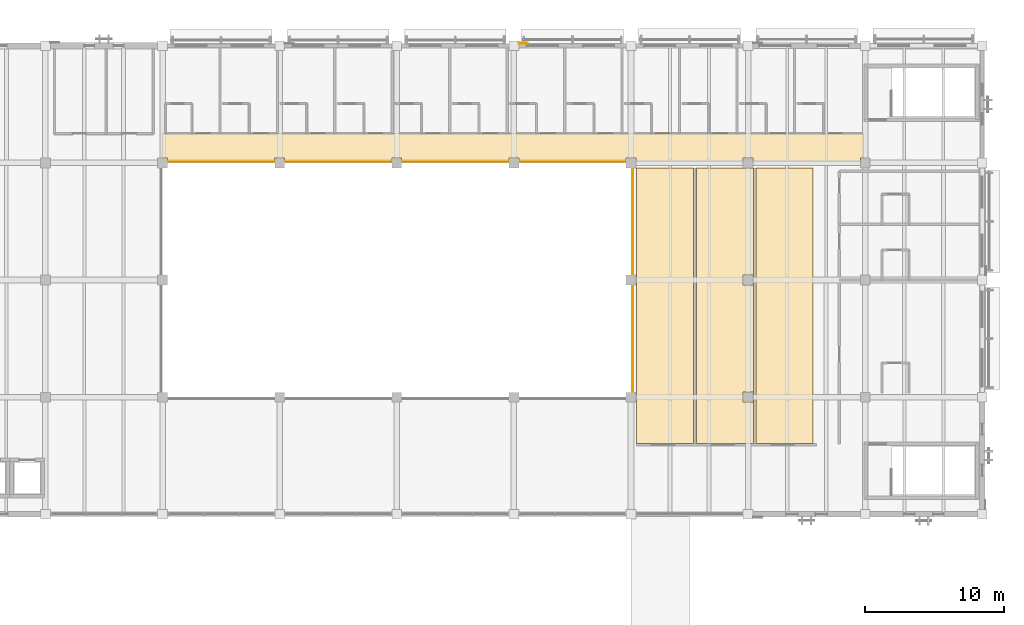
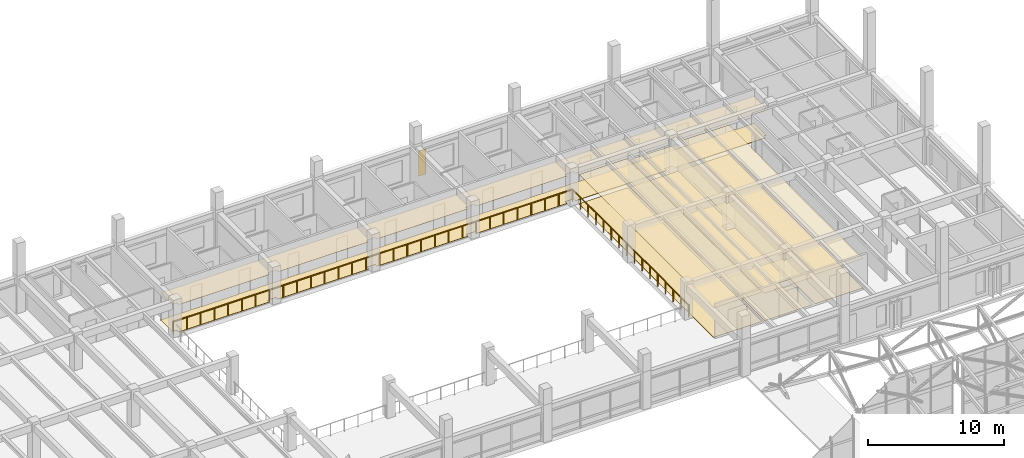
# One storey, part 122 of 123: 9 coverings, 2 railings.
"""IFC4 building model written with IfcOpenShell, lengths in metres."""

from ifc_helpers import new_model, si_unit, direction, frame, origin, origin_2d, place, context, subcontext, project, spatial, polyline, circle, outline, extrude, material, layer, layer_set, type_object, element, save


model = new_model("IFC4")

# Units and contexts
model_context = context("Model", 3, precision=1e-05, world=origin(), true_north=direction((0.0, 1.0)))
body_context = subcontext(model_context, "Body", "Model", "MODEL_VIEW")
ifc_project = project(units=[si_unit("LENGTHUNIT", "METRE"), si_unit("AREAUNIT", "SQUARE_METRE"), si_unit("VOLUMEUNIT", "CUBIC_METRE"), si_unit("PLANEANGLEUNIT", "RADIAN"), si_unit("MASSUNIT", "GRAM", prefix="KILO")], contexts=[model_context])

# Site, building, storey
site_placement = place(None, origin())
site = spatial("IfcSite", under=ifc_project, at=site_placement, CompositionType="ELEMENT")
building_placement = place(site_placement, origin())
building = spatial("IfcBuilding", under=site, at=building_placement, Name="Cumbredor Promenade Congress Hotel", CompositionType="ELEMENT")
storey_placement = place(building_placement, frame((0.0, 0.0, 11.760009765625)))
storey = spatial("IfcBuildingStorey", under=building, at=storey_placement, Name="L03", CompositionType="ELEMENT", Elevation=11.760009765625)

# Coverings
ifc_material_1 = material(Name="Acoustic mineral-fiber and gypsum ceiling")
ifc_layer_1 = layer(ifc_material_1, 0.01806640625, Name="Acoustic mineral-fiber and gypsum ceiling")
ifc_layer_set_1 = layer_set([ifc_layer_1], Name="Acoustic mineral-fiber and gypsum ceiling")
covering_type_1 = type_object("IfcCoveringType", Name="Acoustic Perforated Gypsum Ceiling CLG-01 18mm", PredefinedType="CEILING", material=ifc_layer_set_1)
covering_1_placement = place(storey_placement, frame((0.0, 0.0, 2.452880859375)))
element("IfcCovering", 1, at=covering_1_placement, inside=storey, type_object=covering_type_1, Name="Executive Summit Boardroom 2 Acoustic Ceiling", PredefinedType="CEILING", context=body_context, shape_type="SweptSolid", body=[
    extrude(outline(polyline([(155.8798828125, 89.080078125), (155.8798828125, 108.820068359375), (159.969970703125, 108.820068359375), (159.969970703125, 89.080078125), (155.8798828125, 89.080078125)]), holes=[polyline([(159.2451171875, 92.7548828125), (159.2451171875, 92.044921875), (159.955078125, 92.044921875), (159.955078125, 92.7548828125), (159.2451171875, 92.7548828125)]), polyline([(159.955078125, 101.155029296875), (159.2451171875, 101.155029296875), (159.2451171875, 100.445068359375), (159.955078125, 100.445068359375), (159.955078125, 101.155029296875)])]), origin(), (0.0, 0.0, 1.0), 0.01806640625),
])
covering_2_placement = place(storey_placement, frame((0.0, 0.0, 2.452880859375)))
element("IfcCovering", 2, at=covering_2_placement, inside=storey, type_object=covering_type_1, Name="L03 Forum North Delegate Corridor Acoustic Ceiling", PredefinedType="CEILING", context=body_context, shape_type="SweptSolid", body=[
    extrude(outline(polyline([(142.445068359375, 109.300048828125), (134.7548828125, 109.300048828125), (134.7548828125, 109.554931640625), (134.044921875, 109.554931640625), (134.044921875, 109.300048828125), (126.35498046875, 109.300048828125), (126.35498046875, 109.554931640625), (125.64501953125, 109.554931640625), (125.64501953125, 109.300048828125), (117.955078125, 109.300048828125), (117.955078125, 109.554931640625), (117.580078125, 109.554931640625), (117.580078125, 111.320068359375), (167.8701171875, 111.320068359375), (167.8701171875, 109.554931640625), (167.64501953125, 109.554931640625), (167.64501953125, 109.280029296875), (159.955078125, 109.280029296875), (159.955078125, 109.554931640625), (159.2451171875, 109.554931640625), (159.2451171875, 109.280029296875), (151.554931640625, 109.280029296875), (151.554931640625, 109.554931640625), (150.844970703125, 109.554931640625), (150.844970703125, 109.300048828125), (143.155029296875, 109.300048828125), (143.155029296875, 109.554931640625), (142.445068359375, 109.554931640625), (142.445068359375, 109.300048828125)])), origin(), (0.0, 0.0, 1.0), 0.01806640625),
])
ifc_layer_2 = layer(ifc_material_1, 0.02197265625, Name="Acoustic mineral-fiber and gypsum ceiling")
ifc_layer_set_2 = layer_set([ifc_layer_2], Name="Acoustic mineral-fiber and gypsum ceiling")
covering_type_2 = type_object("IfcCoveringType", Name="Acoustic Perforated Gypsum Ceiling CLG-02 22mm", PredefinedType="CEILING", material=ifc_layer_set_2)
covering_3_placement = place(storey_placement, frame((0.0, 0.0, 2.635986328125)))
element("IfcCovering", 3, at=covering_3_placement, inside=storey, type_object=covering_type_2, Name="Executive Summit Boardroom 3 Acoustic Ceiling", PredefinedType="CEILING", context=body_context, shape_type="SweptSolid", body=[
    extrude(outline(polyline([(164.27001953125, 108.820068359375), (164.27001953125, 89.080078125), (160.179931640625, 89.080078125), (160.179931640625, 108.820068359375), (164.27001953125, 108.820068359375)])), origin(), (0.0, 0.0, 1.0), 0.02197265625),
])
ifc_layer_3 = layer(ifc_material_1, 0.031982421875, Name="Acoustic mineral-fiber and gypsum ceiling")
ifc_layer_set_3 = layer_set([ifc_layer_3], Name="Acoustic mineral-fiber and gypsum ceiling")
covering_type_3 = type_object("IfcCoveringType", Name="Acoustic Perforated Gypsum Ceiling CLG-04 32mm", PredefinedType="CEILING", material=ifc_layer_set_3)
covering_4_placement = place(storey_placement, frame((0.0, 0.0, 2.6259765625)))
element("IfcCovering", 4, at=covering_4_placement, inside=storey, type_object=covering_type_3, Name="Executive Summit Boardroom 1 Acoustic Ceiling", PredefinedType="CEILING", context=body_context, shape_type="SweptSolid", body=[
    extrude(outline(polyline([(155.669921875, 108.820068359375), (155.669921875, 89.080078125), (151.580078125, 89.080078125), (151.580078125, 108.820068359375), (155.669921875, 108.820068359375)])), origin(), (0.0, 0.0, 1.0), 0.031982421875),
])
ifc_material_2 = material(Name="Precast concrete C40/50", Category="concrete")
ifc_layer_4 = layer(ifc_material_2, 0.044921875, Name="Precast concrete C40/50", Category="concrete")
ifc_layer_set_4 = layer_set([ifc_layer_4], Name="Precast concrete C40/50")
covering_type_4 = type_object("IfcCoveringType", Name="Board-Formed Architectural Cladding Panel 45mm", PredefinedType="CLADDING", material=ifc_layer_set_4)
covering_5_placement = place(storey_placement, origin())
element("IfcCovering", 5, at=covering_5_placement, inside=storey, type_object=covering_type_4, Name="L03 Facade Stone Cladding Pier 146", PredefinedType="CLADDING", context=body_context, shape_type="SweptSolid", body=[
    extrude(outline(polyline([(143.15087890625, 117.762451171875), (143.801025390625, 117.762451171875), (143.801025390625, 117.8076171875), (143.15087890625, 117.8076171875), (143.15087890625, 117.762451171875)])), origin(), (0.0, 0.0, 1.0), 2.25),
])

# Railings
ifc_material_3 = material(Name="Brushed stainless steel", Category="steel")
railing_type = type_object("IfcRailingType", Name="Interior Void & Stair Guardrail GR-1100", PredefinedType="GUARDRAIL", material=ifc_material_3)
railing_1_placement = place(storey_placement, frame((151.320068359375, 92.280029296875, 0.0)))
element("IfcRailing", 6, at=railing_1_placement, inside=storey, type_object=railing_type, Name="L03 v4_forum_atrium Void Perimeter Guardrail 2", PredefinedType="GUARDRAIL", context=body_context, shape_type="SweptSolid", body=[
    extrude(circle(Radius=0.02392578125, at=origin_2d()), frame((0.0, 0.0, 1.09619140625), z_axis=(0.0, 1.0, 0.0), x_axis=(-1.0, 0.0, 0.0)), (0.0, 0.0, 1.0), 17.0400390625),
    extrude(circle(Radius=0.02099609375, at=origin_2d()), origin(), (0.0, 0.0, 1.0), 1.072021484375),
    extrude(circle(Radius=0.02099609375, at=origin_2d()), frame((0.0, 1.135986328125, 0.0)), (0.0, 0.0, 1.0), 1.072021484375),
    extrude(circle(Radius=0.02099609375, at=origin_2d()), frame((0.0, 2.27197265625, 0.0)), (0.0, 0.0, 1.0), 1.072021484375),
    extrude(circle(Radius=0.02099609375, at=origin_2d()), frame((0.0, 3.407958984375, 0.0)), (0.0, 0.0, 1.0), 1.072021484375),
    extrude(circle(Radius=0.02099609375, at=origin_2d()), frame((0.0, 4.5439453125, 0.0)), (0.0, 0.0, 1.0), 1.072021484375),
    extrude(circle(Radius=0.02099609375, at=origin_2d()), frame((0.0, 5.679931640625, 0.0)), (0.0, 0.0, 1.0), 1.072021484375),
    extrude(circle(Radius=0.02099609375, at=origin_2d()), frame((0.0, 6.81591796875, 0.0)), (0.0, 0.0, 1.0), 1.072021484375),
    extrude(circle(Radius=0.02099609375, at=origin_2d()), frame((0.0, 7.951904296875, 0.0)), (0.0, 0.0, 1.0), 1.072021484375),
    extrude(circle(Radius=0.02099609375, at=origin_2d()), frame((0.0, 9.088134765625, 0.0)), (0.0, 0.0, 1.0), 1.072021484375),
    extrude(circle(Radius=0.02099609375, at=origin_2d()), frame((0.0, 10.22412109375, 0.0)), (0.0, 0.0, 1.0), 1.072021484375),
    extrude(circle(Radius=0.02099609375, at=origin_2d()), frame((0.0, 11.360107421875, 0.0)), (0.0, 0.0, 1.0), 1.072021484375),
    extrude(circle(Radius=0.02099609375, at=origin_2d()), frame((0.0, 12.49609375, 0.0)), (0.0, 0.0, 1.0), 1.072021484375),
    extrude(circle(Radius=0.02099609375, at=origin_2d()), frame((0.0, 13.632080078125, 0.0)), (0.0, 0.0, 1.0), 1.072021484375),
    extrude(circle(Radius=0.02099609375, at=origin_2d()), frame((0.0, 14.76806640625, 0.0)), (0.0, 0.0, 1.0), 1.072021484375),
    extrude(circle(Radius=0.02099609375, at=origin_2d()), frame((0.0, 15.904052734375, 0.0)), (0.0, 0.0, 1.0), 1.072021484375),
    extrude(circle(Radius=0.02099609375, at=origin_2d()), frame((0.0, 17.0400390625, 0.0)), (0.0, 0.0, 1.0), 1.072021484375),
])
railing_2_placement = place(storey_placement, frame((151.320068359375, 109.320068359375, 0.0)))
element("IfcRailing", 7, at=railing_2_placement, inside=storey, type_object=railing_type, Name="L03 v4_forum_atrium Void Perimeter Guardrail 3", PredefinedType="GUARDRAIL", context=body_context, shape_type="SweptSolid", body=[
    extrude(circle(Radius=0.02392578125, at=origin_2d()), frame((0.0, 0.0, 1.09619140625), z_axis=(-1.0, 0.0, 0.0), x_axis=(0.0, -1.0, 0.0)), (0.0, 0.0, 1.0), 33.840087890625),
    extrude(circle(Radius=0.02099609375, at=origin_2d()), origin(), (0.0, 0.0, 1.0), 1.072021484375),
    extrude(circle(Radius=0.02099609375, at=origin_2d()), frame((-1.1669921875, 0.0, 0.0)), (0.0, 0.0, 1.0), 1.072021484375),
    extrude(circle(Radius=0.02099609375, at=origin_2d()), frame((-2.333740234375, 0.0, 0.0)), (0.0, 0.0, 1.0), 1.072021484375),
    extrude(circle(Radius=0.02099609375, at=origin_2d()), frame((-3.500732421875, 0.0, 0.0)), (0.0, 0.0, 1.0), 1.072021484375),
    extrude(circle(Radius=0.02099609375, at=origin_2d()), frame((-4.66748046875, 0.0, 0.0)), (0.0, 0.0, 1.0), 1.072021484375),
    extrude(circle(Radius=0.02099609375, at=origin_2d()), frame((-5.83447265625, 0.0, 0.0)), (0.0, 0.0, 1.0), 1.072021484375),
    extrude(circle(Radius=0.02099609375, at=origin_2d()), frame((-7.00146484375, 0.0, 0.0)), (0.0, 0.0, 1.0), 1.072021484375),
    extrude(circle(Radius=0.02099609375, at=origin_2d()), frame((-8.168212890625, 0.0, 0.0)), (0.0, 0.0, 1.0), 1.072021484375),
    extrude(circle(Radius=0.02099609375, at=origin_2d()), frame((-9.335205078125, 0.0, 0.0)), (0.0, 0.0, 1.0), 1.072021484375),
    extrude(circle(Radius=0.02099609375, at=origin_2d()), frame((-10.502197265625, 0.0, 0.0)), (0.0, 0.0, 1.0), 1.072021484375),
    extrude(circle(Radius=0.02099609375, at=origin_2d()), frame((-11.6689453125, 0.0, 0.0)), (0.0, 0.0, 1.0), 1.072021484375),
    extrude(circle(Radius=0.02099609375, at=origin_2d()), frame((-12.8359375, 0.0, 0.0)), (0.0, 0.0, 1.0), 1.072021484375),
    extrude(circle(Radius=0.02099609375, at=origin_2d()), frame((-14.002685546875, 0.0, 0.0)), (0.0, 0.0, 1.0), 1.072021484375),
    extrude(circle(Radius=0.02099609375, at=origin_2d()), frame((-15.169677734375, 0.0, 0.0)), (0.0, 0.0, 1.0), 1.072021484375),
    extrude(circle(Radius=0.02099609375, at=origin_2d()), frame((-16.336669921875, 0.0, 0.0)), (0.0, 0.0, 1.0), 1.072021484375),
    extrude(circle(Radius=0.02099609375, at=origin_2d()), frame((-17.50341796875, 0.0, 0.0)), (0.0, 0.0, 1.0), 1.072021484375),
    extrude(circle(Radius=0.02099609375, at=origin_2d()), frame((-18.67041015625, 0.0, 0.0)), (0.0, 0.0, 1.0), 1.072021484375),
    extrude(circle(Radius=0.02099609375, at=origin_2d()), frame((-19.83740234375, 0.0, 0.0)), (0.0, 0.0, 1.0), 1.072021484375),
    extrude(circle(Radius=0.02099609375, at=origin_2d()), frame((-21.004150390625, 0.0, 0.0)), (0.0, 0.0, 1.0), 1.072021484375),
    extrude(circle(Radius=0.02099609375, at=origin_2d()), frame((-22.171142578125, 0.0, 0.0)), (0.0, 0.0, 1.0), 1.072021484375),
    extrude(circle(Radius=0.02099609375, at=origin_2d()), frame((-23.337890625, 0.0, 0.0)), (0.0, 0.0, 1.0), 1.072021484375),
    extrude(circle(Radius=0.02099609375, at=origin_2d()), frame((-24.5048828125, 0.0, 0.0)), (0.0, 0.0, 1.0), 1.072021484375),
    extrude(circle(Radius=0.02099609375, at=origin_2d()), frame((-25.671875, 0.0, 0.0)), (0.0, 0.0, 1.0), 1.072021484375),
    extrude(circle(Radius=0.02099609375, at=origin_2d()), frame((-26.838623046875, 0.0, 0.0)), (0.0, 0.0, 1.0), 1.072021484375),
    extrude(circle(Radius=0.02099609375, at=origin_2d()), frame((-28.005615234375, 0.0, 0.0)), (0.0, 0.0, 1.0), 1.072021484375),
    extrude(circle(Radius=0.02099609375, at=origin_2d()), frame((-29.172607421875, 0.0, 0.0)), (0.0, 0.0, 1.0), 1.072021484375),
    extrude(circle(Radius=0.02099609375, at=origin_2d()), frame((-30.33935546875, 0.0, 0.0)), (0.0, 0.0, 1.0), 1.072021484375),
    extrude(circle(Radius=0.02099609375, at=origin_2d()), frame((-31.50634765625, 0.0, 0.0)), (0.0, 0.0, 1.0), 1.072021484375),
    extrude(circle(Radius=0.02099609375, at=origin_2d()), frame((-32.673095703125, 0.0, 0.0)), (0.0, 0.0, 1.0), 1.072021484375),
    extrude(circle(Radius=0.02099609375, at=origin_2d()), frame((-33.840087890625, 0.0, 0.0)), (0.0, 0.0, 1.0), 1.072021484375),
])

# Coverings
ifc_material_4 = material(Name="Porcelain stoneware tile", Category="masonry")
ifc_layer_5 = layer(ifc_material_4, 0.02001953125, Name="Porcelain stoneware tile", Category="masonry")
ifc_layer_set_5 = layer_set([ifc_layer_5], Name="Porcelain stoneware tile")
covering_type_5 = type_object("IfcCoveringType", Name="Porcelain Stoneware Flooring FLR-01 20mm", PredefinedType="FLOORING", material=ifc_layer_set_5)
covering_6_placement = place(storey_placement, origin())
element("IfcCovering", 8, at=covering_6_placement, inside=storey, type_object=covering_type_5, Name="Executive Summit Boardroom 2 Porcelain Flooring", PredefinedType="FLOORING", context=body_context, shape_type="SweptSolid", body=[
    extrude(outline(polyline([(155.8798828125, 89.080078125), (155.8798828125, 108.820068359375), (159.969970703125, 108.820068359375), (159.969970703125, 89.080078125), (155.8798828125, 89.080078125)]), holes=[polyline([(159.2451171875, 92.7548828125), (159.2451171875, 92.044921875), (159.955078125, 92.044921875), (159.955078125, 92.7548828125), (159.2451171875, 92.7548828125)]), polyline([(159.955078125, 101.155029296875), (159.2451171875, 101.155029296875), (159.2451171875, 100.445068359375), (159.955078125, 100.445068359375), (159.955078125, 101.155029296875)])]), origin(), (0.0, 0.0, 1.0), 0.02001953125),
])
ifc_layer_6 = layer(ifc_material_4, 0.02490234375, Name="Porcelain stoneware tile", Category="masonry")
ifc_layer_set_6 = layer_set([ifc_layer_6], Name="Porcelain stoneware tile")
covering_type_6 = type_object("IfcCoveringType", Name="Porcelain Stoneware Flooring FLR-02 25mm", PredefinedType="FLOORING", material=ifc_layer_set_6)
covering_7_placement = place(storey_placement, origin())
element("IfcCovering", 9, at=covering_7_placement, inside=storey, type_object=covering_type_6, Name="Executive Summit Boardroom 3 Porcelain Flooring", PredefinedType="FLOORING", context=body_context, shape_type="SweptSolid", body=[
    extrude(outline(polyline([(164.27001953125, 108.820068359375), (164.27001953125, 89.080078125), (160.179931640625, 89.080078125), (160.179931640625, 108.820068359375), (164.27001953125, 108.820068359375)])), origin(), (0.0, 0.0, 1.0), 0.02490234375),
])
ifc_layer_7 = layer(ifc_material_4, 0.030029296875, Name="Porcelain stoneware tile", Category="masonry")
ifc_layer_set_7 = layer_set([ifc_layer_7], Name="Porcelain stoneware tile")
covering_type_7 = type_object("IfcCoveringType", Name="Porcelain Stoneware Flooring FLR-03 30mm", PredefinedType="FLOORING", material=ifc_layer_set_7)
covering_8_placement = place(storey_placement, origin())
element("IfcCovering", 10, at=covering_8_placement, inside=storey, type_object=covering_type_7, Name="Executive Summit Boardroom 1 Porcelain Flooring", PredefinedType="FLOORING", context=body_context, shape_type="SweptSolid", body=[
    extrude(outline(polyline([(155.669921875, 108.820068359375), (155.669921875, 89.080078125), (151.580078125, 89.080078125), (151.580078125, 108.820068359375), (155.669921875, 108.820068359375)])), origin(), (0.0, 0.0, 1.0), 0.030029296875),
])
covering_9_placement = place(storey_placement, origin())
element("IfcCovering", 11, at=covering_9_placement, inside=storey, type_object=covering_type_7, Name="L03 Forum North Delegate Corridor Porcelain Flooring", PredefinedType="FLOORING", context=body_context, shape_type="SweptSolid", body=[
    extrude(outline(polyline([(142.445068359375, 109.300048828125), (134.7548828125, 109.300048828125), (134.7548828125, 109.554931640625), (134.044921875, 109.554931640625), (134.044921875, 109.300048828125), (126.35498046875, 109.300048828125), (126.35498046875, 109.554931640625), (125.64501953125, 109.554931640625), (125.64501953125, 109.300048828125), (117.955078125, 109.300048828125), (117.955078125, 109.554931640625), (117.580078125, 109.554931640625), (117.580078125, 111.320068359375), (167.8701171875, 111.320068359375), (167.8701171875, 109.554931640625), (167.64501953125, 109.554931640625), (167.64501953125, 109.280029296875), (159.955078125, 109.280029296875), (159.955078125, 109.554931640625), (159.2451171875, 109.554931640625), (159.2451171875, 109.280029296875), (151.554931640625, 109.280029296875), (151.554931640625, 109.554931640625), (150.844970703125, 109.554931640625), (150.844970703125, 109.300048828125), (143.155029296875, 109.300048828125), (143.155029296875, 109.554931640625), (142.445068359375, 109.554931640625), (142.445068359375, 109.300048828125)])), origin(), (0.0, 0.0, 1.0), 0.030029296875),
])

save(model, "model.ifc")
